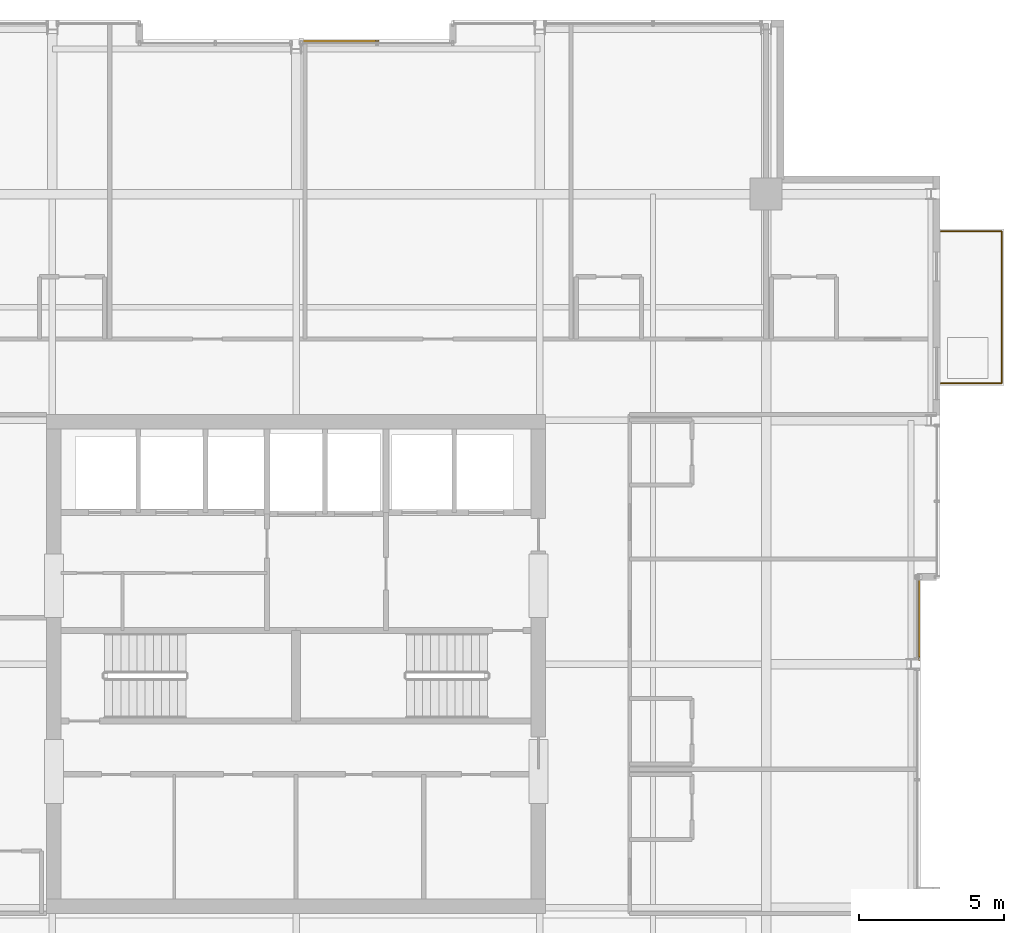
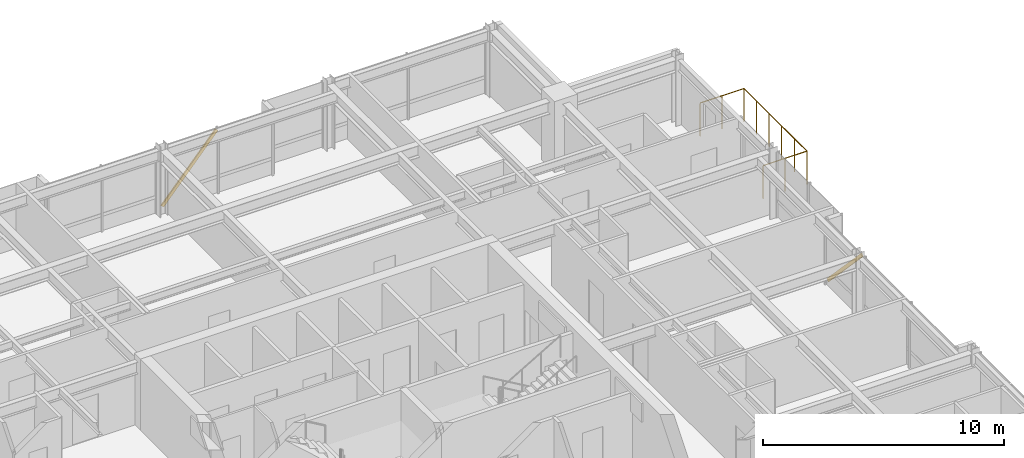
# One storey, part 33 of 33: 2 shading devices, 1 railing.
"""IFC4 building model written with IfcOpenShell, lengths in metres."""

from ifc_helpers import new_model, si_unit, direction, frame, origin, origin_2d, place, context, subcontext, project, spatial, hollow_rectangle, circle, extrude, material, material_profile, profile_set, type_object, element, save


model = new_model("IFC4")

# Units and contexts
model_context = context("Model", 3, precision=1e-05, world=origin(), true_north=direction((0.0, 1.0)))
body_context = subcontext(model_context, "Body", "Model", "MODEL_VIEW")
ifc_project = project(units=[si_unit("LENGTHUNIT", "METRE"), si_unit("AREAUNIT", "SQUARE_METRE"), si_unit("VOLUMEUNIT", "CUBIC_METRE"), si_unit("PLANEANGLEUNIT", "RADIAN"), si_unit("MASSUNIT", "GRAM", prefix="KILO")], contexts=[model_context])

# Site, building, storey
site_placement = place(None, origin())
site = spatial("IfcSite", under=ifc_project, at=site_placement, CompositionType="ELEMENT")
building_placement = place(site_placement, origin())
building = spatial("IfcBuilding", under=site, at=building_placement, Name="Drelvath Grand Hotel", CompositionType="ELEMENT")
storey_placement = place(building_placement, frame((0.0, 0.0, 248.300048828125)))
storey = spatial("IfcBuildingStorey", under=building, at=storey_placement, Name="L65", CompositionType="ELEMENT", Elevation=248.300048828125)

# Shading devices
ifc_material_1 = material(Name="Platinum-Mist Anodised Aluminium", Category="aluminium")
ifc_material_profile = material_profile(ifc_material_1, hollow_rectangle(XDim=0.06494140625, YDim=0.159912109375, WallThickness=0.00390625, at=origin_2d()), Name="HSS160X65X4")
ifc_profile_set = profile_set([ifc_material_profile], Name="Platinum-Mist Anodised Aluminium")
shading_device_type = type_object("IfcShadingDeviceType", Name="Diagonal Solar Fin Platinum Anodised HSS160X65X4", PredefinedType="USERDEFINED", material=ifc_profile_set)
shading_device_1_placement = place(storey_placement, frame((21.47998046875, 30.0, 0.179931640625), z_axis=(0.0, -0.687569722658, 0.726118362586), x_axis=(1.0, 0.0, 0.0)))
element("IfcShadingDevice", 1, at=shading_device_1_placement, inside=storey, type_object=shading_device_type, Name="L65 Diagonal Anodised Fin CW05-L65-EM2", ObjectType="FIN", PredefinedType="USERDEFINED", context=body_context, shape_type="SweptSolid", body=[
    extrude(hollow_rectangle(XDim=0.06494140625, YDim=0.159912109375, WallThickness=0.00390625, at=origin_2d()), origin(), (0.0, 0.0, 1.0), 4.10400390625),
])
shading_device_2_placement = place(storey_placement, frame((0.17822265625, 48.47998046875, 0.179931640625), z_axis=(0.658984361182, 0.0, 0.752156640414), x_axis=(0.0, 1.0, 0.0)))
element("IfcShadingDevice", 2, at=shading_device_2_placement, inside=storey, type_object=shading_device_type, Name="L65 Diagonal Anodised Fin CW05-L65-NM2", ObjectType="FIN", PredefinedType="USERDEFINED", context=body_context, shape_type="SweptSolid", body=[
    extrude(hollow_rectangle(XDim=0.06494140625, YDim=0.159912109375, WallThickness=0.00390625, at=origin_2d()), origin(), (0.0, 0.0, 1.0), 3.9619140625),
])

# Railing
ifc_material_2 = material(Name="Anodised Aluminium and Laminated Glass Balustrade", Category="aluminium")
railing_type = type_object("IfcRailingType", Name="Raised Planter Edge Balustrade 1700", PredefinedType="BALUSTRADE", material=ifc_material_2)
railing_placement = place(storey_placement, frame((22.219970703125, 36.679931640625, 0.0)))
element("IfcRailing", 3, at=railing_placement, inside=storey, type_object=railing_type, Name="L65 Tree Balcony Perimeter Balustrade 1", PredefinedType="BALUSTRADE", context=body_context, shape_type="SweptSolid", body=[
    extrude(circle(Radius=0.02392578125, at=origin_2d()), frame((0.0, 0.0, 1.67578125), z_axis=(1.0, 0.0, 0.0), x_axis=(0.0, 1.0, 0.0)), (0.0, 0.0, 1.0), 2.10009765625),
    extrude(circle(Radius=0.02392578125, at=origin_2d()), frame((2.10009765625, 0.0, 1.67578125), z_axis=(0.0, 1.0, 0.0), x_axis=(-1.0, 0.0, 0.0)), (0.0, 0.0, 1.0), 5.239990234375),
    extrude(circle(Radius=0.02392578125, at=origin_2d()), frame((2.10009765625, 5.239990234375, 1.67578125), z_axis=(-1.0, 0.0, 0.0), x_axis=(0.0, -1.0, 0.0)), (0.0, 0.0, 1.0), 2.10009765625),
    extrude(circle(Radius=0.02099609375, at=origin_2d()), origin(), (0.0, 0.0, 1.0), 1.65185546875),
    extrude(circle(Radius=0.02099609375, at=origin_2d()), frame((1.050048828125, 0.0, 0.0)), (0.0, 0.0, 1.0), 1.65185546875),
    extrude(circle(Radius=0.02099609375, at=origin_2d()), frame((2.10009765625, 0.0, 0.0)), (0.0, 0.0, 1.0), 1.65185546875),
    extrude(circle(Radius=0.02099609375, at=origin_2d()), frame((2.10009765625, 1.048095703125, 0.0)), (0.0, 0.0, 1.0), 1.65185546875),
    extrude(circle(Radius=0.02099609375, at=origin_2d()), frame((2.10009765625, 2.095947265625, 0.0)), (0.0, 0.0, 1.0), 1.65185546875),
    extrude(circle(Radius=0.02099609375, at=origin_2d()), frame((2.10009765625, 3.14404296875, 0.0)), (0.0, 0.0, 1.0), 1.65185546875),
    extrude(circle(Radius=0.02099609375, at=origin_2d()), frame((2.10009765625, 4.19189453125, 0.0)), (0.0, 0.0, 1.0), 1.65185546875),
    extrude(circle(Radius=0.02099609375, at=origin_2d()), frame((2.10009765625, 5.239990234375, 0.0)), (0.0, 0.0, 1.0), 1.65185546875),
    extrude(circle(Radius=0.02099609375, at=origin_2d()), frame((1.050048828125, 5.239990234375, 0.0)), (0.0, 0.0, 1.0), 1.65185546875),
    extrude(circle(Radius=0.02099609375, at=origin_2d()), frame((0.0, 5.239990234375, 0.0)), (0.0, 0.0, 1.0), 1.65185546875),
])

save(model, "model.ifc")
